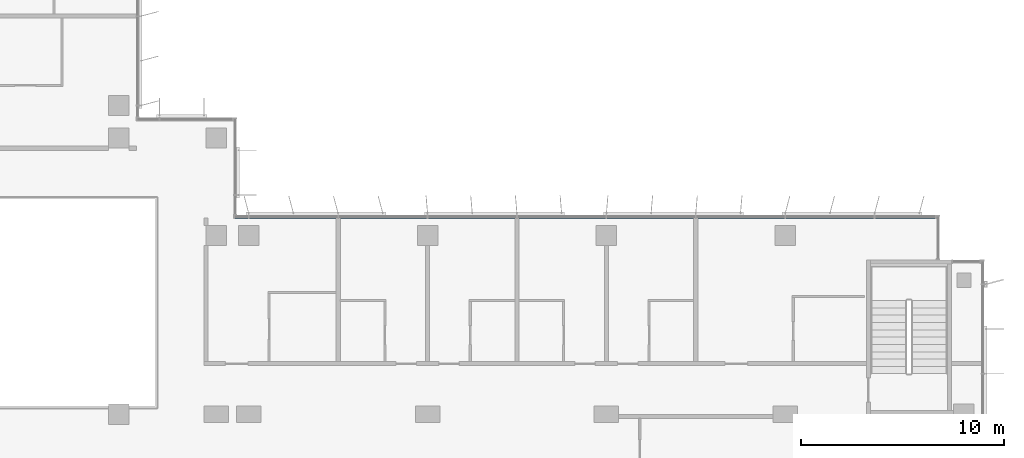
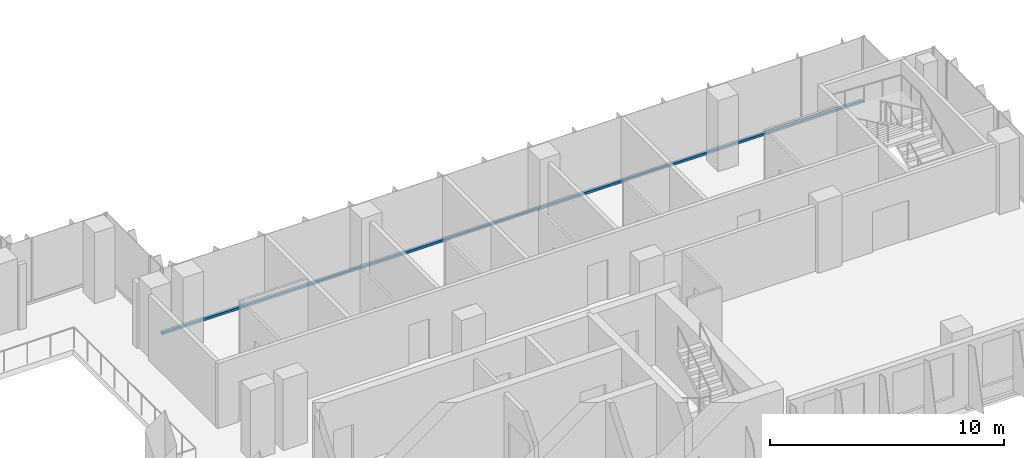
# One storey, part 3 of 21: 1 member, 1 element without a shape of its own.
"""IFC4 building model written with IfcOpenShell, lengths in metres."""

from ifc_helpers import new_model, si_unit, direction, frame, origin, origin_2d, place, context, subcontext, project, spatial, rectangle, extrude, material, material_profile, profile_set, type_object, element, aggregate, save


model = new_model("IFC4")

# Units and contexts
model_context = context("Model", 3, precision=1e-05, world=origin(), true_north=direction((0.0, 1.0)))
body_context = subcontext(model_context, "Body", "Model", "MODEL_VIEW")
ifc_project = project(units=[si_unit("LENGTHUNIT", "METRE"), si_unit("AREAUNIT", "SQUARE_METRE"), si_unit("VOLUMEUNIT", "CUBIC_METRE"), si_unit("PLANEANGLEUNIT", "RADIAN"), si_unit("MASSUNIT", "GRAM", prefix="KILO")], contexts=[model_context])

# Site, building, storey
site_placement = place(None, origin())
site = spatial("IfcSite", under=ifc_project, at=site_placement, CompositionType="ELEMENT")
building_placement = place(site_placement, origin())
building = spatial("IfcBuilding", under=site, at=building_placement, Name="Kemantara Hotel Tower", CompositionType="ELEMENT")
storey_placement = place(building_placement, frame((0.0, 0.0, 182.699951171875)))
storey = spatial("IfcBuildingStorey", under=building, at=storey_placement, Name="L45", CompositionType="ELEMENT", Elevation=182.699951171875)

# Curtain wall, member
ifc_material_1 = material(Name="Low-E tinted double insulated glass 36 mm", Category="glass")
curtain_wall_type = type_object("IfcCurtainWallType", Name="TOWER CURTAIN WALL, FRONT FACES", PredefinedType="USERDEFINED", material=ifc_material_1)
curtain_wall_placement = place(storey_placement, origin())
curtain_wall = element("IfcCurtainWall", 1, at=curtain_wall_placement, inside=storey, type_object=curtain_wall_type, Name="CW4 L45 T3-R14-1", ObjectType="TOWER CURTAIN WALL, FRONT FACES", PredefinedType="USERDEFINED")
ifc_material_2 = material(Name="Aluminium 6063-T6 bronze anodised", Category="aluminium")
ifc_material_profile = material_profile(ifc_material_2, rectangle(XDim=0.14990234375, YDim=0.1201171875, at=origin_2d()), Name="TOWER CURTAIN WALL, FRONT FACES TRANSOM")
ifc_profile_set = profile_set([ifc_material_profile], Name="Aluminium 6063-T6 bronze anodised")
member_type = type_object("IfcMemberType", Name="TOWER CURTAIN WALL, FRONT FACES TRANSOM", PredefinedType="USERDEFINED", material=ifc_profile_set)
member_placement = place(storey_placement, frame((61.25, 21.925048828125, 0.06005859375), z_axis=(-1.0, 0.0, 0.0), x_axis=(0.0, -1.0, 0.0)))
member = element("IfcMember", 2, at=member_placement, type_object=member_type, Name="CW4 sill transom T3-R14-1", ObjectType="TRANSOM", PredefinedType="USERDEFINED", context=body_context, shape_type="SweptSolid", body=[
    extrude(rectangle(XDim=0.14990234375, YDim=0.1201171875, at=origin_2d()), origin(), (0.0, 0.0, 1.0), 34.60009765625),
])
aggregate(curtain_wall, [member])

save(model, "model.ifc")
